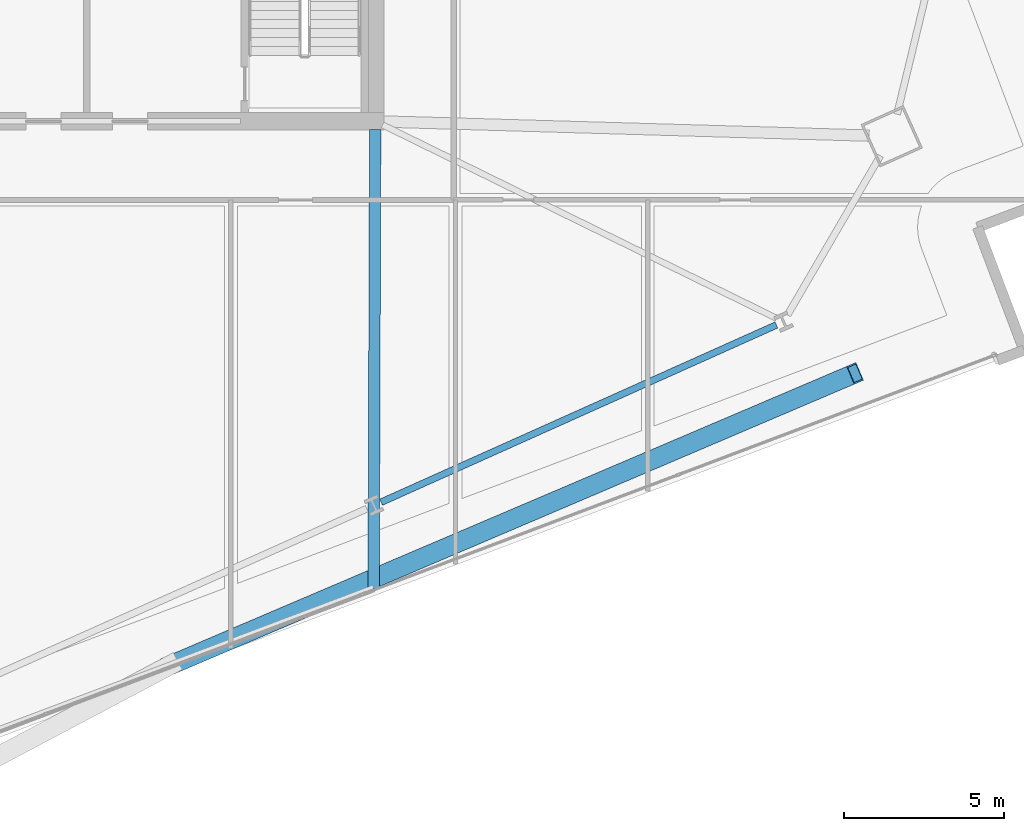
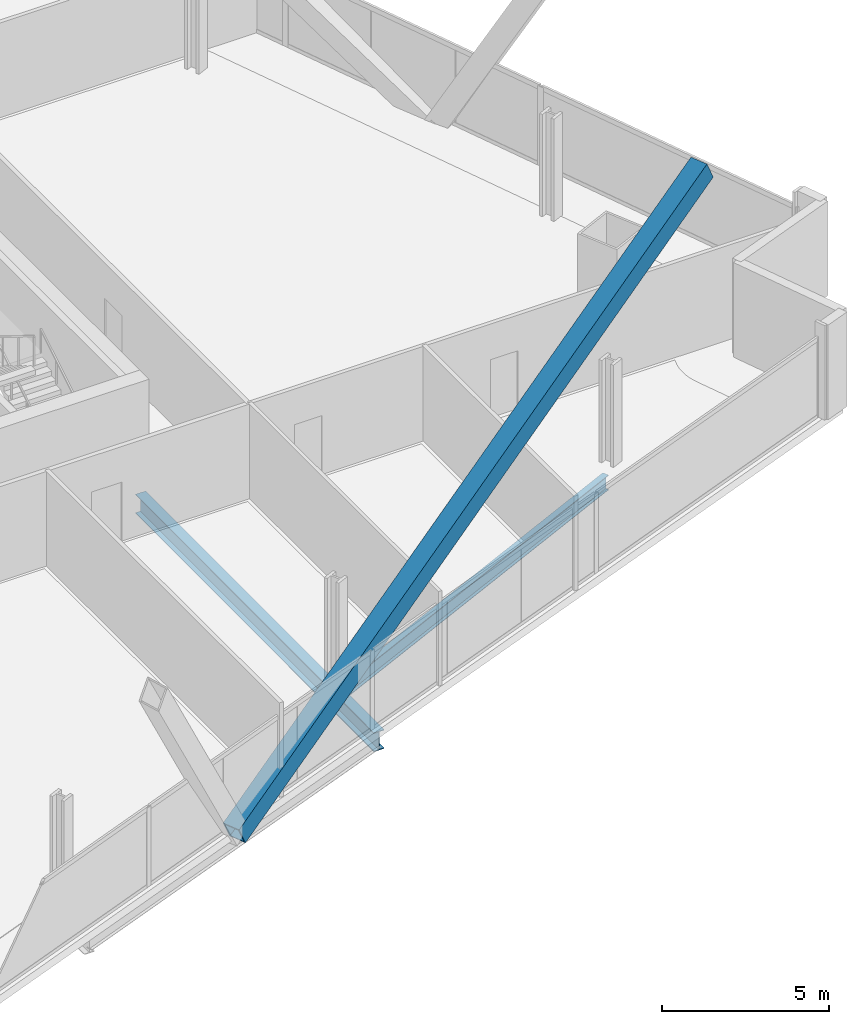
# One storey, part 10 of 37: 2 beams, 1 member.
"""IFC4 building model written with IfcOpenShell, lengths in metres."""

from ifc_helpers import new_model, si_unit, direction, frame, origin, origin_2d, place, context, subcontext, project, spatial, hollow_rectangle, i_section, extrude, material, material_profile, profile_set, type_object, element, save


model = new_model("IFC4")

# Units and contexts
model_context = context("Model", 3, precision=1e-05, world=origin(), true_north=direction((0.0, 1.0)))
body_context = subcontext(model_context, "Body", "Model", "MODEL_VIEW")
ifc_project = project(units=[si_unit("LENGTHUNIT", "METRE"), si_unit("AREAUNIT", "SQUARE_METRE"), si_unit("VOLUMEUNIT", "CUBIC_METRE"), si_unit("PLANEANGLEUNIT", "RADIAN"), si_unit("MASSUNIT", "GRAM", prefix="KILO")], contexts=[model_context])

# Site, building, storey
site_placement = place(None, origin())
site = spatial("IfcSite", under=ifc_project, at=site_placement, CompositionType="ELEMENT")
building_placement = place(site_placement, origin())
building = spatial("IfcBuilding", under=site, at=building_placement, Name="Haldenkirk Collegiate Tower", CompositionType="ELEMENT")
storey_placement = place(building_placement, frame((0.0, 0.0, 97.949951171875)))
storey = spatial("IfcBuildingStorey", under=building, at=storey_placement, Name="L23", CompositionType="ELEMENT", Elevation=97.949951171875)

# Beams
ifc_material_1 = material(Name="Steel ASTM A992 Grade 50", Category="steel")
ifc_material_profile_1 = material_profile(ifc_material_1, i_section(OverallWidth=0.35498046875, OverallDepth=0.696044921875, WebThickness=0.015380859375, FlangeThickness=0.02490234375, at=origin_2d()), Name="W27X146")
ifc_profile_set_1 = profile_set([ifc_material_profile_1], Name="Steel ASTM A992 Grade 50")
beam_type_1 = type_object("IfcBeamType", Name="BM-GIRDER-W27X146", PredefinedType="BEAM", material=ifc_profile_set_1)
beam_1_placement = place(storey_placement, frame((44.951171875, 3.4267578125, -0.64794921875), z_axis=(0.003341953783, 0.999994415657, 0.0), x_axis=(-0.999994415657, 0.003341953783, 0.0)))
element("IfcBeam", 1, at=beam_1_placement, inside=storey, type_object=beam_type_1, Name="L23 primary floor girder 06", PredefinedType="BEAM", context=body_context, shape_type="SweptSolid", body=[
    extrude(i_section(OverallWidth=0.35498046875, OverallDepth=0.696044921875, WebThickness=0.015380859375, FlangeThickness=0.02490234375, at=origin_2d()), origin(), (0.0, 0.0, 1.0), 14.318359375),
])
ifc_material_profile_2 = material_profile(ifc_material_1, i_section(OverallWidth=0.2119140625, OverallDepth=0.5439453125, WebThickness=0.01318359375, FlangeThickness=0.021240234375, at=origin_2d()), Name="W21X83")
ifc_profile_set_2 = profile_set([ifc_material_profile_2], Name="Steel ASTM A992 Grade 50")
beam_type_2 = type_object("IfcBeamType", Name="BM-SPANDREL-W21X83", PredefinedType="SPANDREL", material=ifc_profile_set_2)
beam_2_placement = place(storey_placement, frame((45.183837890625, 6.1171875, -0.572021484375), z_axis=(0.912476765144, 0.409128528793, 0.0), x_axis=(-0.409128528793, 0.912476765144, 0.0)))
element("IfcBeam", 2, at=beam_2_placement, inside=storey, type_object=beam_type_2, Name="L23 perimeter spandrel beam 03", PredefinedType="SPANDREL", context=body_context, shape_type="SweptSolid", body=[
    extrude(i_section(OverallWidth=0.2119140625, OverallDepth=0.5439453125, WebThickness=0.01318359375, FlangeThickness=0.021240234375, at=origin_2d()), origin(), (0.0, 0.0, 1.0), 13.512939453125),
])

# Member
ifc_material_2 = material(Name="Steel ASTM A572 Grade 50", Category="steel")
ifc_material_profile_3 = material_profile(ifc_material_2, hollow_rectangle(XDim=0.60009765625, YDim=0.719970703125, WallThickness=0.044921875, at=origin_2d()), Name="BOX720X600X45")
ifc_profile_set_3 = profile_set([ifc_material_profile_3], Name="Steel ASTM A572 Grade 50")
member_type = type_object("IfcMemberType", Name="MBR-MEGABRACE-BOX720X600X45", PredefinedType="BRACE", material=ifc_profile_set_3)
member_placement = place(storey_placement, frame((38.56640625, 1.01416015625, -0.31005859375), z_axis=(0.828155191461, 0.353042258635, 0.435339112042), x_axis=(-0.392153034457, 0.919899993242, 0.0)))
element("IfcMember", 3, at=member_placement, inside=storey, type_object=member_type, Name="Perimeter Mega Brace Z2 L23-L25 SR", PredefinedType="BRACE", context=body_context, shape_type="SweptSolid", body=[
    extrude(hollow_rectangle(XDim=0.60009765625, YDim=0.719970703125, WallThickness=0.044921875, at=origin_2d()), origin(), (0.0, 0.0, 1.0), 25.842041015625),
])

save(model, "model.ifc")
